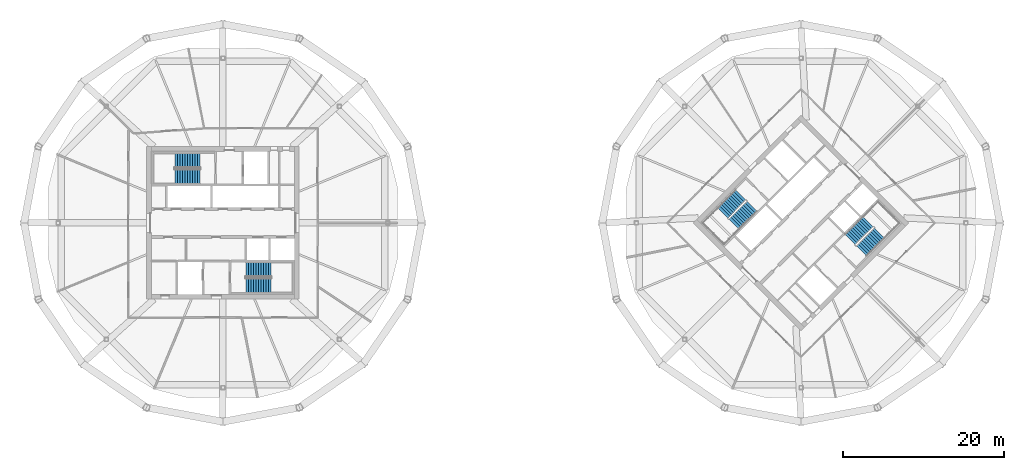
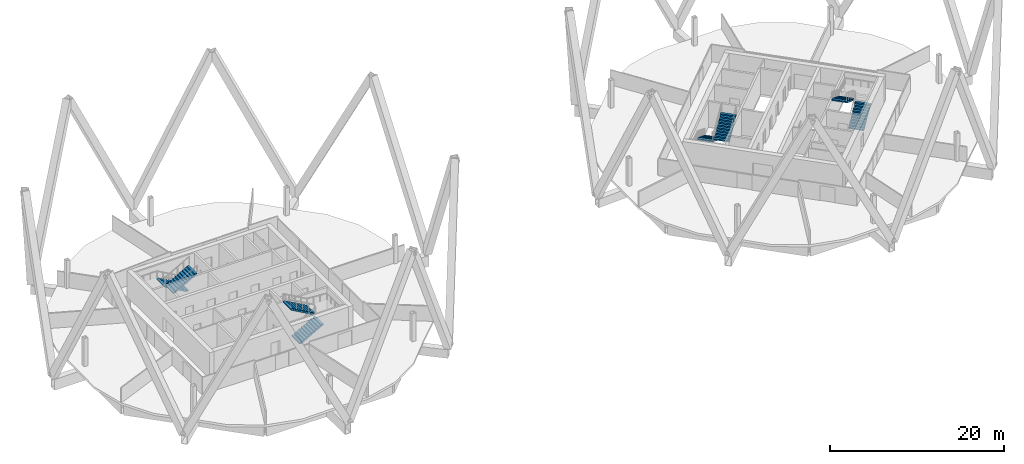
# One storey, part 9 of 10: 8 stair flights, 4 elements without a shape of their own.
"""IFC4 building model written with IfcOpenShell, lengths in metres."""

import ifcopenshell
import ifcopenshell.guid

model = None  # the IFC model being written
_history = None  # IfcOwnerHistory: only IFC2X3 demands one
_inside = {}  # id of a spatial element -> (the spatial element, [elements in it])
_under = {}  # id of a project, library or spatial element -> (it, [spatial elements below it])
_declared = {}  # id of a project -> (the project, [libraries it declares])
_typed = {}  # id of a type object -> (the type object, [elements of that type])
_made_of = {}  # id of a material, layer set ... -> (it, [elements and type objects made of it])


def new_model(schema):
    """Start an empty IFC model of exactly this schema.

    Asked for "IFC4X3", IfcOpenShell would pick the latest addendum, in which some entities
    have other attributes; the version numbers below select the first issue.
    IFC2X3 requires an IfcOwnerHistory on every rooted entity: one is made here for all.
    """
    global model, _history
    if schema == "IFC4X3":
        model = ifcopenshell.file(schema_version=(4, 3, 0, 0))
    else:
        model = ifcopenshell.file(schema=schema)
    _inside.clear()
    _under.clear()
    _declared.clear()
    _typed.clear()
    _made_of.clear()
    _history = None
    if model.schema == "IFC2X3":
        org = make("IfcOrganization", Name="unknown")
        user = make(
            "IfcPersonAndOrganization",
            ThePerson=make("IfcPerson", FamilyName="unknown"),
            TheOrganization=org,
        )
        app = make(
            "IfcApplication",
            ApplicationDeveloper=org,
            Version="unknown",
            ApplicationFullName="unknown",
            ApplicationIdentifier="unknown",
        )
        _history = make(
            "IfcOwnerHistory",
            OwningUser=user,
            OwningApplication=app,
            ChangeAction="ADDED",
            CreationDate=0,
        )
    return model


def make(cls, **values):
    """One entity of the class cls with the attributes given. An attribute that is None is left unset."""
    return model.create_entity(
        cls, **{name: value for name, value in values.items() if value is not None}
    )


def rooted(cls, **values):
    """An entity with a GlobalId (a new one), such as an element, a storey or a relation."""
    return make(cls, GlobalId=ifcopenshell.guid.new(), OwnerHistory=_history, **values)


def si_unit(unit_type, name, prefix=None):
    """IfcSIUnit, for example si_unit("LENGTHUNIT", "METRE", prefix="MILLI")."""
    return make("IfcSIUnit", UnitType=unit_type, Prefix=prefix, Name=name)


def assignment(units):
    """IfcUnitAssignment: the units of a project."""
    return None if units is None else make("IfcUnitAssignment", Units=units)


def point(xyz):
    """IfcCartesianPoint."""
    return None if xyz is None else make("IfcCartesianPoint", Coordinates=xyz)


def direction(xyz):
    """IfcDirection."""
    return None if xyz is None else make("IfcDirection", DirectionRatios=xyz)


def frame(location, z_axis=None, x_axis=None):
    """IfcAxis2Placement3D, a coordinate frame: its origin and axes. An axis left out is left unset."""
    return make(
        "IfcAxis2Placement3D",
        Location=point(location),
        Axis=direction(z_axis),
        RefDirection=direction(x_axis),
    )


def origin():
    """The frame at (0, 0, 0) with its axes left unset."""
    return frame((0.0, 0.0, 0.0))


def place(relative_to, where):
    """IfcLocalPlacement: puts the frame where relative to a parent placement (None: the world)."""
    return make(
        "IfcLocalPlacement", PlacementRelTo=relative_to, RelativePlacement=where
    )


def context(
    kind, dimensions, precision=None, world=None, true_north=None, identifier=None
):
    """IfcGeometricRepresentationContext, for example the 3D "Model" context."""
    return make(
        "IfcGeometricRepresentationContext",
        ContextIdentifier=identifier,
        ContextType=kind,
        CoordinateSpaceDimension=dimensions,
        Precision=precision,
        WorldCoordinateSystem=world,
        TrueNorth=true_north,
    )


def subcontext(parent, identifier, kind, view, scale=None):
    """IfcGeometricRepresentationSubContext, for example "Body" below "Model"."""
    return make(
        "IfcGeometricRepresentationSubContext",
        ContextIdentifier=identifier,
        ContextType=kind,
        ParentContext=parent,
        TargetScale=scale,
        TargetView=view,
    )


def project(units=None, contexts=None):
    """IfcProject with its units and contexts."""
    return rooted(
        "IfcProject",
        Name="project",
        RepresentationContexts=contexts,
        UnitsInContext=assignment(units),
    )


def spatial(cls, under=None, at=None, **own):
    """A site, building, storey or space (cls), placed at a placement, below another one or the project."""
    s = rooted(cls, ObjectPlacement=at, **own)
    if under is not None:
        _under.setdefault(under.id(), (under, []))[1].append(s)
    return s


def polyline(points):
    """IfcPolyline through the points."""
    return make("IfcPolyline", Points=[point(p) for p in points])


def outline(outer, holes=None, kind="AREA"):
    """IfcArbitraryClosedProfileDef: a profile drawn as a closed curve; with holes, ...WithVoids."""
    if holes is None:
        return make("IfcArbitraryClosedProfileDef", ProfileType=kind, OuterCurve=outer)
    return make(
        "IfcArbitraryProfileDefWithVoids",
        ProfileType=kind,
        OuterCurve=outer,
        InnerCurves=holes,
    )


def extrude(swept, where, along, depth):
    """IfcExtrudedAreaSolid: the profile swept, set in the frame where, extruded along a direction by depth."""
    return make(
        "IfcExtrudedAreaSolid",
        SweptArea=swept,
        Position=where,
        ExtrudedDirection=direction(along),
        Depth=depth,
    )


def shape(context_of_items, identifier, shape_type, items):
    """IfcShapeRepresentation: the items that make up one representation, for example the "Body"."""
    return make(
        "IfcShapeRepresentation",
        ContextOfItems=context_of_items,
        RepresentationIdentifier=identifier,
        RepresentationType=shape_type,
        Items=items,
    )


def material(Name=None, Category=None):
    """IfcMaterial."""
    return make("IfcMaterial", Name=Name, Category=Category)


def made_of(thing, what):
    """Note that an element or type object is made of a material, layer set ...; save() writes the relation."""
    if what is not None:
        _made_of.setdefault(what.id(), (what, []))[1].append(thing)
    return thing


def type_object(cls, material=None, **own):
    """A type object (cls), such as IfcWallType, which elements share."""
    return made_of(rooted(cls, **own), material)


def element(
    cls,
    number,
    at=None,
    inside=None,
    cuts=None,
    type_object=None,
    material=None,
    context=None,
    identifier="Body",
    shape_type=None,
    held_by="IfcProductDefinitionShape",
    body=None,
    shapes=None,
    **own,
):
    """One element of the class cls, such as IfcWall. Its Tag is "e" and its number.

    at: its placement. inside: the storey or other place that contains it. cuts: it is an
    opening in that element (IfcRelVoidsElement). A single representation is given by context,
    identifier, shape_type and body (its items); several are given by shapes. held_by: the class
    of the entity that holds the representations. save() writes the other relations.
    """
    e = rooted(cls, Tag="e%d" % number, ObjectPlacement=at, **own)
    if body is not None:
        shapes = [shape(context, identifier, shape_type, body)]
    if shapes is not None:
        e.Representation = make(held_by, Representations=shapes)
    if inside is not None:
        _inside.setdefault(inside.id(), (inside, []))[1].append(e)
    if cuts is not None:
        rooted(
            "IfcRelVoidsElement", RelatingBuildingElement=cuts, RelatedOpeningElement=e
        )
    if type_object is not None:
        _typed.setdefault(type_object.id(), (type_object, []))[1].append(e)
    return made_of(e, material)


def aggregate(whole, parts):
    """IfcRelAggregates: a whole, such as a stair, and the parts it consists of."""
    return rooted("IfcRelAggregates", RelatingObject=whole, RelatedObjects=parts)


def save(model, path):
    """Write the relations noted so far, then the file.

    IfcRelAggregates (storeys below a building ...), IfcRelContainedInSpatialStructure (elements
    in a storey), IfcRelDefinesByType, IfcRelAssociatesMaterial and IfcRelDeclares: one each for
    every whole, place, type object, material and project.
    """
    for whole, parts in _under.values():
        aggregate(whole, parts)
    for where, things in _inside.values():
        rooted(
            "IfcRelContainedInSpatialStructure",
            RelatedElements=things,
            RelatingStructure=where,
        )
    for kind, things in _typed.values():
        rooted("IfcRelDefinesByType", RelatedObjects=things, RelatingType=kind)
    for what, things in _made_of.values():
        rooted("IfcRelAssociatesMaterial", RelatedObjects=things, RelatingMaterial=what)
    for by, libraries in _declared.values():
        rooted("IfcRelDeclares", RelatingContext=by, RelatedDefinitions=libraries)
    model.write(path)


model = new_model("IFC4")

# Units and contexts
model_context = context("Model", 3, precision=1e-05, world=origin(), true_north=direction((0.0, 1.0)))
body_context = subcontext(model_context, "Body", "Model", "MODEL_VIEW")
ifc_project = project(units=[si_unit("LENGTHUNIT", "METRE"), si_unit("AREAUNIT", "SQUARE_METRE"), si_unit("VOLUMEUNIT", "CUBIC_METRE"), si_unit("PLANEANGLEUNIT", "RADIAN"), si_unit("MASSUNIT", "GRAM", prefix="KILO")], contexts=[model_context])

# Site, building, storey
site_placement = place(None, origin())
site = spatial("IfcSite", under=ifc_project, at=site_placement, CompositionType="ELEMENT")
building_placement = place(site_placement, origin())
building = spatial("IfcBuilding", under=site, at=building_placement, Name="Ogive Gate Towers", CompositionType="ELEMENT")
storey_placement = place(building_placement, frame((0.0, 0.0, 181.199951171875)))
storey = spatial("IfcBuildingStorey", under=building, at=storey_placement, Name="L43", CompositionType="ELEMENT", Elevation=181.199951171875)

# Stair, stair flights
ifc_material = material(Name="Concrete C40/50", Category="concrete")
stair_type = type_object("IfcStairType", Name="Escape stair 1840 wide", PredefinedType="HALF_TURN_STAIR", material=ifc_material)
stair_1_placement = place(storey_placement, origin())
stair_1 = element("IfcStair", 1, at=stair_1_placement, inside=storey, type_object=stair_type, Name="L43 Escape stair 1", PredefinedType="HALF_TURN_STAIR")
stair_flight_type = type_object("IfcStairFlightType", Name="Stair flight 1840 wide", PredefinedType="STRAIGHT", material=ifc_material)
stair_flight_1_placement = place(storey_placement, frame((-38.864990234375, 7.780029296875, 0.0), z_axis=(0.0, 0.0, 1.0), x_axis=(-1.0, 0.0, 0.0)))
stair_flight_1 = element("IfcStairFlight", 2, at=stair_flight_1_placement, type_object=stair_flight_type, Name="ST1 flight 1", NumberOfRisers=11, NumberOfTreads=10, PredefinedType="STRAIGHT", RiserHeight=0.177272727, TreadLength=0.313636364, context=body_context, shape_type="SweptSolid", body=[
    extrude(outline(polyline([(0.0, 0.0), (0.0, 0.17724609375), (0.313720703125, 0.17724609375), (0.313720703125, 0.3544921875), (0.627197265625, 0.3544921875), (0.627197265625, 0.53173828125), (0.94091796875, 0.53173828125), (0.94091796875, 0.708984375), (1.254638671875, 0.708984375), (1.254638671875, 0.886474609375), (1.568115234375, 0.886474609375), (1.568115234375, 1.063720703125), (1.8818359375, 1.063720703125), (1.8818359375, 1.240966796875), (2.195556640625, 1.240966796875), (2.195556640625, 1.418212890625), (2.509033203125, 1.418212890625), (2.509033203125, 1.595458984375), (2.82275390625, 1.595458984375), (2.82275390625, 1.772705078125), (3.136474609375, 1.772705078125), (3.136474609375, 1.949951171875), (3.136474609375, 1.6005859375), (0.3046875, 0.0), (0.0, 0.0)])), frame((0.0, 0.919921875, 0.0), z_axis=(0.0, -1.0, 0.0), x_axis=(1.0, 0.0, 0.0)), (0.0, 0.0, 1.0), 1.840087890625),
])
stair_flight_2_placement = place(storey_placement, frame((-42.00146484375, 5.794921875, 1.949951171875), z_axis=(0.0, 0.0, 1.0), x_axis=(1.0, 0.0, 0.0)))
stair_flight_2 = element("IfcStairFlight", 3, at=stair_flight_2_placement, type_object=stair_flight_type, Name="ST1 flight 2", NumberOfRisers=11, NumberOfTreads=10, PredefinedType="STRAIGHT", RiserHeight=0.177272727, TreadLength=0.313636364, context=body_context, shape_type="SweptSolid", body=[
    extrude(outline(polyline([(0.0, 0.0), (0.0, 0.17724609375), (0.313720703125, 0.17724609375), (0.313720703125, 0.3544921875), (0.627197265625, 0.3544921875), (0.627197265625, 0.53173828125), (0.94091796875, 0.53173828125), (0.94091796875, 0.708984375), (1.254638671875, 0.708984375), (1.254638671875, 0.886474609375), (1.568115234375, 0.886474609375), (1.568115234375, 1.063720703125), (1.8818359375, 1.063720703125), (1.8818359375, 1.240966796875), (2.195556640625, 1.240966796875), (2.195556640625, 1.418212890625), (2.509033203125, 1.418212890625), (2.509033203125, 1.595458984375), (2.82275390625, 1.595458984375), (2.82275390625, 1.772705078125), (3.136474609375, 1.772705078125), (3.136474609375, 1.949951171875), (3.136474609375, 1.6005859375), (0.3046875, 0.0), (0.0, 0.0)])), frame((0.0, 0.919921875, 0.0), z_axis=(0.0, -1.0, 0.0), x_axis=(1.0, 0.0, 0.0)), (0.0, 0.0, 1.0), 1.840087890625),
])
aggregate(stair_1, [stair_flight_1, stair_flight_2])

stair_2_placement = place(storey_placement, origin())
stair_2 = element("IfcStair", 4, at=stair_2_placement, inside=storey, type_object=stair_type, Name="L43 Escape stair 2", PredefinedType="HALF_TURN_STAIR")
stair_flight_3_placement = place(storey_placement, frame((-33.135009765625, -7.780029296875, 0.0), z_axis=(0.0, 0.0, 1.0), x_axis=(1.0, 0.0, 0.0)))
stair_flight_3 = element("IfcStairFlight", 5, at=stair_flight_3_placement, type_object=stair_flight_type, Name="ST2 flight 1", NumberOfRisers=11, NumberOfTreads=10, PredefinedType="STRAIGHT", RiserHeight=0.177272727, TreadLength=0.313636364, context=body_context, shape_type="SweptSolid", body=[
    extrude(outline(polyline([(0.0, 0.0), (0.0, 0.17724609375), (0.313720703125, 0.17724609375), (0.313720703125, 0.3544921875), (0.627197265625, 0.3544921875), (0.627197265625, 0.53173828125), (0.94091796875, 0.53173828125), (0.94091796875, 0.708984375), (1.254638671875, 0.708984375), (1.254638671875, 0.886474609375), (1.568115234375, 0.886474609375), (1.568115234375, 1.063720703125), (1.8818359375, 1.063720703125), (1.8818359375, 1.240966796875), (2.195556640625, 1.240966796875), (2.195556640625, 1.418212890625), (2.509033203125, 1.418212890625), (2.509033203125, 1.595458984375), (2.82275390625, 1.595458984375), (2.82275390625, 1.772705078125), (3.136474609375, 1.772705078125), (3.136474609375, 1.949951171875), (3.136474609375, 1.6005859375), (0.3046875, 0.0), (0.0, 0.0)])), frame((0.0, 0.919921875, 0.0), z_axis=(0.0, -1.0, 0.0), x_axis=(1.0, 0.0, 0.0)), (0.0, 0.0, 1.0), 1.840087890625),
])
stair_flight_4_placement = place(storey_placement, frame((-29.99853515625, -5.794921875, 1.949951171875), z_axis=(0.0, 0.0, 1.0), x_axis=(-1.0, 0.0, 0.0)))
stair_flight_4 = element("IfcStairFlight", 6, at=stair_flight_4_placement, type_object=stair_flight_type, Name="ST2 flight 2", NumberOfRisers=11, NumberOfTreads=10, PredefinedType="STRAIGHT", RiserHeight=0.177272727, TreadLength=0.313636364, context=body_context, shape_type="SweptSolid", body=[
    extrude(outline(polyline([(0.0, 0.0), (0.0, 0.17724609375), (0.313720703125, 0.17724609375), (0.313720703125, 0.3544921875), (0.627197265625, 0.3544921875), (0.627197265625, 0.53173828125), (0.94091796875, 0.53173828125), (0.94091796875, 0.708984375), (1.254638671875, 0.708984375), (1.254638671875, 0.886474609375), (1.568115234375, 0.886474609375), (1.568115234375, 1.063720703125), (1.8818359375, 1.063720703125), (1.8818359375, 1.240966796875), (2.195556640625, 1.240966796875), (2.195556640625, 1.418212890625), (2.509033203125, 1.418212890625), (2.509033203125, 1.595458984375), (2.82275390625, 1.595458984375), (2.82275390625, 1.772705078125), (3.136474609375, 1.772705078125), (3.136474609375, 1.949951171875), (3.136474609375, 1.6005859375), (0.3046875, 0.0), (0.0, 0.0)])), frame((0.0, 0.919921875, 0.0), z_axis=(0.0, -1.0, 0.0), x_axis=(1.0, 0.0, 0.0)), (0.0, 0.0, 1.0), 1.840087890625),
])
aggregate(stair_2, [stair_flight_3, stair_flight_4])

stair_3_placement = place(storey_placement, origin())
stair_3 = element("IfcStair", 7, at=stair_3_placement, inside=storey, type_object=stair_type, Name="L43 Escape stair 1", PredefinedType="HALF_TURN_STAIR")
stair_flight_5_placement = place(storey_placement, frame((28.472900390625, 3.475341796875, 0.0), z_axis=(0.0, 0.0, 1.0), x_axis=(-0.707106781187, -0.707106781187, 0.0)))
stair_flight_5 = element("IfcStairFlight", 8, at=stair_flight_5_placement, type_object=stair_flight_type, Name="ST1 flight 1", NumberOfRisers=11, NumberOfTreads=10, PredefinedType="STRAIGHT", RiserHeight=0.177272727, TreadLength=0.313636364, context=body_context, shape_type="SweptSolid", body=[
    extrude(outline(polyline([(0.0, 0.0), (0.0, 0.17724609375), (0.313720703125, 0.17724609375), (0.313720703125, 0.3544921875), (0.627197265625, 0.3544921875), (0.627197265625, 0.53173828125), (0.94091796875, 0.53173828125), (0.94091796875, 0.708984375), (1.254638671875, 0.708984375), (1.254638671875, 0.886474609375), (1.568115234375, 0.886474609375), (1.568115234375, 1.063720703125), (1.8818359375, 1.063720703125), (1.8818359375, 1.240966796875), (2.195556640625, 1.240966796875), (2.195556640625, 1.418212890625), (2.509033203125, 1.418212890625), (2.509033203125, 1.595458984375), (2.82275390625, 1.595458984375), (2.82275390625, 1.772705078125), (3.136474609375, 1.772705078125), (3.136474609375, 1.949951171875), (3.136474609375, 1.6005859375), (0.3046875, 0.0), (0.0, 0.0)])), frame((0.0, 0.919921875, 0.0), z_axis=(0.0, -1.0, 0.0), x_axis=(1.0, 0.0, 0.0)), (0.0, 0.0, 1.0), 1.840087890625),
])
stair_flight_6_placement = place(storey_placement, frame((27.65869140625, -0.14599609375, 1.949951171875), z_axis=(0.0, 0.0, 1.0), x_axis=(0.707106781187, 0.707106781187, 0.0)))
stair_flight_6 = element("IfcStairFlight", 9, at=stair_flight_6_placement, type_object=stair_flight_type, Name="ST1 flight 2", NumberOfRisers=11, NumberOfTreads=10, PredefinedType="STRAIGHT", RiserHeight=0.177272727, TreadLength=0.313636364, context=body_context, shape_type="SweptSolid", body=[
    extrude(outline(polyline([(0.0, 0.0), (0.0, 0.17724609375), (0.313720703125, 0.17724609375), (0.313720703125, 0.3544921875), (0.627197265625, 0.3544921875), (0.627197265625, 0.53173828125), (0.94091796875, 0.53173828125), (0.94091796875, 0.708984375), (1.254638671875, 0.708984375), (1.254638671875, 0.886474609375), (1.568115234375, 0.886474609375), (1.568115234375, 1.063720703125), (1.8818359375, 1.063720703125), (1.8818359375, 1.240966796875), (2.195556640625, 1.240966796875), (2.195556640625, 1.418212890625), (2.509033203125, 1.418212890625), (2.509033203125, 1.595458984375), (2.82275390625, 1.595458984375), (2.82275390625, 1.772705078125), (3.136474609375, 1.772705078125), (3.136474609375, 1.949951171875), (3.136474609375, 1.6005859375), (0.3046875, 0.0), (0.0, 0.0)])), frame((0.0, 0.919921875, 0.0), z_axis=(0.0, -1.0, 0.0), x_axis=(1.0, 0.0, 0.0)), (0.0, 0.0, 1.0), 1.840087890625),
])
aggregate(stair_3, [stair_flight_5, stair_flight_6])

stair_4_placement = place(storey_placement, origin())
stair_4 = element("IfcStair", 10, at=stair_4_placement, inside=storey, type_object=stair_type, Name="L43 Escape stair 2", PredefinedType="HALF_TURN_STAIR")
stair_flight_7_placement = place(storey_placement, frame((43.527099609375, -3.475341796875, 0.0), z_axis=(0.0, 0.0, 1.0), x_axis=(0.707106781187, 0.707106781187, 0.0)))
stair_flight_7 = element("IfcStairFlight", 11, at=stair_flight_7_placement, type_object=stair_flight_type, Name="ST2 flight 1", NumberOfRisers=11, NumberOfTreads=10, PredefinedType="STRAIGHT", RiserHeight=0.177272727, TreadLength=0.313636364, context=body_context, shape_type="SweptSolid", body=[
    extrude(outline(polyline([(0.0, 0.0), (0.0, 0.17724609375), (0.313720703125, 0.17724609375), (0.313720703125, 0.3544921875), (0.627197265625, 0.3544921875), (0.627197265625, 0.53173828125), (0.94091796875, 0.53173828125), (0.94091796875, 0.708984375), (1.254638671875, 0.708984375), (1.254638671875, 0.886474609375), (1.568115234375, 0.886474609375), (1.568115234375, 1.063720703125), (1.8818359375, 1.063720703125), (1.8818359375, 1.240966796875), (2.195556640625, 1.240966796875), (2.195556640625, 1.418212890625), (2.509033203125, 1.418212890625), (2.509033203125, 1.595458984375), (2.82275390625, 1.595458984375), (2.82275390625, 1.772705078125), (3.136474609375, 1.772705078125), (3.136474609375, 1.949951171875), (3.136474609375, 1.6005859375), (0.3046875, 0.0), (0.0, 0.0)])), frame((0.0, 0.919921875, 0.0), z_axis=(0.0, -1.0, 0.0), x_axis=(1.0, 0.0, 0.0)), (0.0, 0.0, 1.0), 1.840087890625),
])
stair_flight_8_placement = place(storey_placement, frame((44.34130859375, 0.14599609375, 1.949951171875), z_axis=(0.0, 0.0, 1.0), x_axis=(-0.707106781187, -0.707106781187, 0.0)))
stair_flight_8 = element("IfcStairFlight", 12, at=stair_flight_8_placement, type_object=stair_flight_type, Name="ST2 flight 2", NumberOfRisers=11, NumberOfTreads=10, PredefinedType="STRAIGHT", RiserHeight=0.177272727, TreadLength=0.313636364, context=body_context, shape_type="SweptSolid", body=[
    extrude(outline(polyline([(0.0, 0.0), (0.0, 0.17724609375), (0.313720703125, 0.17724609375), (0.313720703125, 0.3544921875), (0.627197265625, 0.3544921875), (0.627197265625, 0.53173828125), (0.94091796875, 0.53173828125), (0.94091796875, 0.708984375), (1.254638671875, 0.708984375), (1.254638671875, 0.886474609375), (1.568115234375, 0.886474609375), (1.568115234375, 1.063720703125), (1.8818359375, 1.063720703125), (1.8818359375, 1.240966796875), (2.195556640625, 1.240966796875), (2.195556640625, 1.418212890625), (2.509033203125, 1.418212890625), (2.509033203125, 1.595458984375), (2.82275390625, 1.595458984375), (2.82275390625, 1.772705078125), (3.136474609375, 1.772705078125), (3.136474609375, 1.949951171875), (3.136474609375, 1.6005859375), (0.3046875, 0.0), (0.0, 0.0)])), frame((0.0, 0.919921875, 0.0), z_axis=(0.0, -1.0, 0.0), x_axis=(1.0, 0.0, 0.0)), (0.0, 0.0, 1.0), 1.840087890625),
])
aggregate(stair_4, [stair_flight_7, stair_flight_8])

save(model, "model.ifc")
